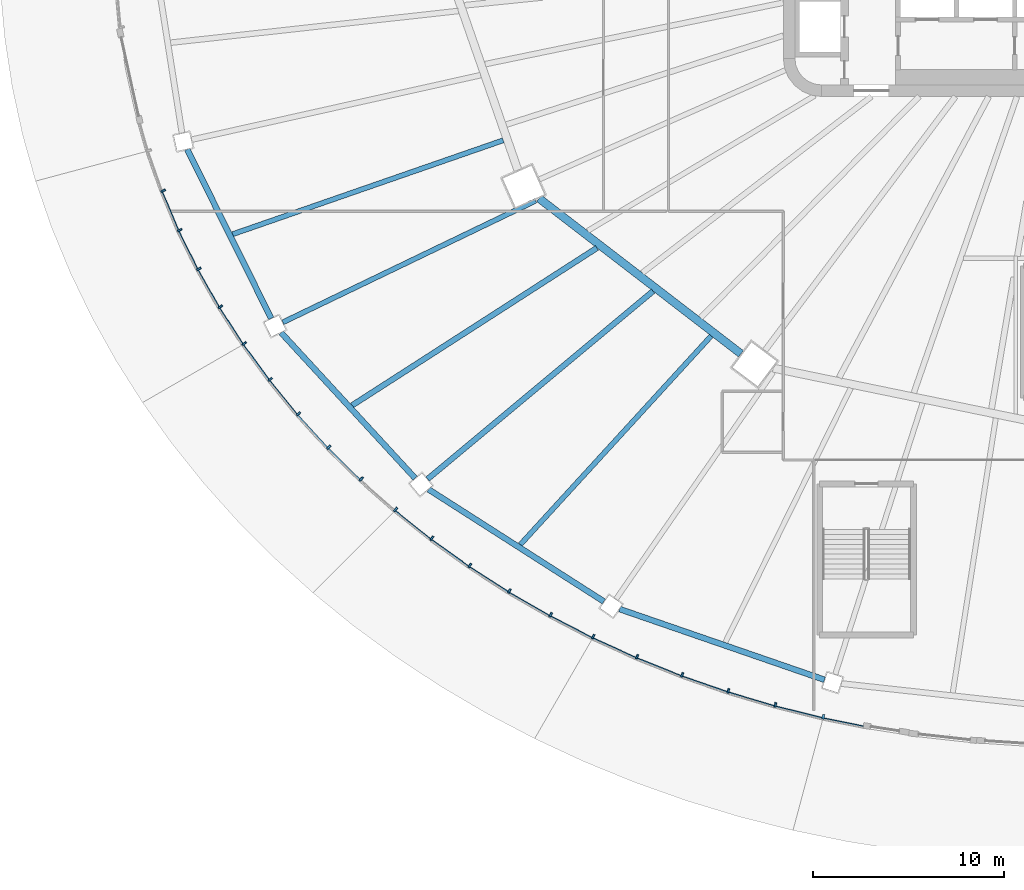
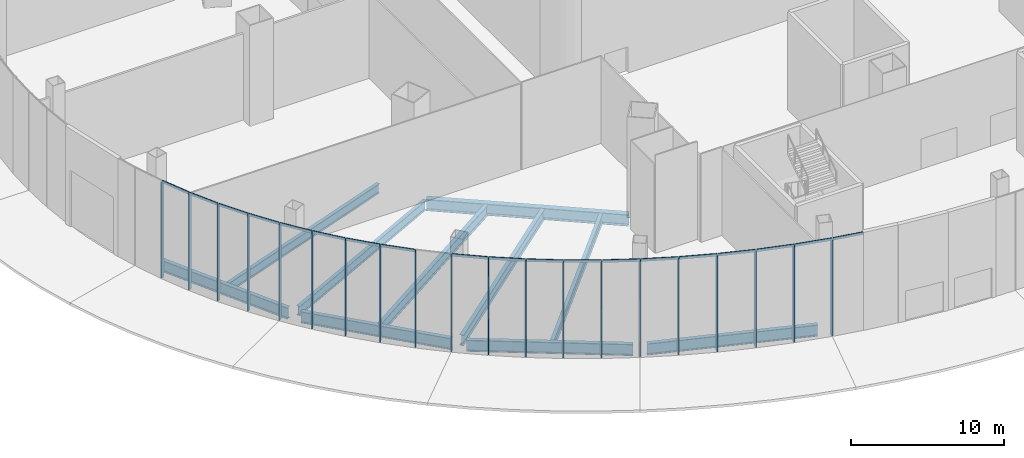
# One storey, part 2 of 36: 39 members, 10 beams, 5 elements without a shape of their own.
"""IFC4 building model written with IfcOpenShell, lengths in metres."""

from ifc_helpers import new_model, si_unit, direction, frame, origin, origin_2d, place, context, subcontext, project, spatial, rectangle, i_section, extrude, material, layer, layer_set, material_profile, profile_set, type_object, element, aggregate, save


model = new_model("IFC4")

# Units and contexts
model_context = context("Model", 3, precision=1e-05, world=origin(), true_north=direction((0.0, 1.0)))
body_context = subcontext(model_context, "Body", "Model", "MODEL_VIEW")
ifc_project = project(units=[si_unit("LENGTHUNIT", "METRE"), si_unit("AREAUNIT", "SQUARE_METRE"), si_unit("VOLUMEUNIT", "CUBIC_METRE"), si_unit("PLANEANGLEUNIT", "RADIAN"), si_unit("MASSUNIT", "GRAM", prefix="KILO")], contexts=[model_context])

# Site, building, storey
site_placement = place(None, origin())
site = spatial("IfcSite", under=ifc_project, at=site_placement, CompositionType="ELEMENT")
building_placement = place(site_placement, origin())
building = spatial("IfcBuilding", under=site, at=building_placement, Name="Sahrelin Media Tower", CompositionType="ELEMENT")
storey_placement = place(building_placement, origin())
storey = spatial("IfcBuildingStorey", under=building, at=storey_placement, Name="L00", CompositionType="ELEMENT", Elevation=0.0)

# Curtain wall, members
ifc_material_1 = material(Name="Champagne anodised aluminium 6063-T6", Category="aluminium")
ifc_layer_1 = layer(ifc_material_1, 0.14990234375)
ifc_layer_set_1 = layer_set([ifc_layer_1], Name="Concourse curtain wall")
curtain_wall_type_1 = type_object("IfcCurtainWallType", Name="Concourse curtain wall", PredefinedType="NOTDEFINED", material=ifc_layer_set_1)
curtain_wall_1_placement = place(storey_placement, frame((-48.29638671875, -10.870361328125, 0.0), z_axis=(0.0, 0.0, 1.0), x_axis=(1.0, 0.0, 0.0)))
curtain_wall_1 = element("IfcCurtainWall", 1, at=curtain_wall_1_placement, inside=storey, type_object=curtain_wall_type_1, Name="L00:CW:L00-P13", PredefinedType="NOTDEFINED")
ifc_material_profile_1 = material_profile(ifc_material_1, rectangle(XDim=0.10009765625, YDim=0.25, at=origin_2d()), Name="Mullion 100x250")
ifc_profile_set_1 = profile_set([ifc_material_profile_1], Name="Champagne anodised aluminium 6063-T6")
member_type_1 = type_object("IfcMemberType", Name="Mullion 100x250 CW4", PredefinedType="MULLION", material=ifc_profile_set_1)
member_1_placement = place(storey_placement, frame((-47.419189453125, -12.92236328125, 0.0), z_axis=(0.0, 0.0, 1.0), x_axis=(0.388450189752, -0.921469722824, 0.0)))
member_1 = element("IfcMember", 2, at=member_1_placement, type_object=member_type_1, Name="L00:CWM2:L00-P13", PredefinedType="MULLION", context=body_context, shape_type="SweptSolid", body=[
    extrude(rectangle(XDim=0.10009765625, YDim=0.25, at=origin_2d()), origin(), (0.0, 0.0, 1.0), 7.60009765625),
])
member_2_placement = place(storey_placement, frame((-46.549072265625, -14.9873046875, 0.0), z_axis=(0.0, 0.0, 1.0), x_axis=(0.442262079274, -0.896885864108, 0.0)))
member_2 = element("IfcMember", 3, at=member_2_placement, type_object=member_type_1, Name="L00:CWM3:L00-P13", PredefinedType="MULLION", context=body_context, shape_type="SweptSolid", body=[
    extrude(rectangle(XDim=0.10009765625, YDim=0.25, at=origin_2d()), origin(), (0.0, 0.0, 1.0), 7.60009765625),
])
member_3_placement = place(storey_placement, frame((-45.55126953125, -17.01123046875, 0.0), z_axis=(0.0, 0.0, 1.0), x_axis=(0.493787068155, -0.869582849028, 0.0)))
member_3 = element("IfcMember", 4, at=member_3_placement, type_object=member_type_1, Name="L00:CWM4:L00-P13", PredefinedType="MULLION", context=body_context, shape_type="SweptSolid", body=[
    extrude(rectangle(XDim=0.10009765625, YDim=0.25, at=origin_2d()), origin(), (0.0, 0.0, 1.0), 7.60009765625),
])
member_4_placement = place(storey_placement, frame((-44.428466796875, -18.989013671875, 0.0), z_axis=(0.0, 0.0, 1.0), x_axis=(0.542830032192, -0.839842578196, 0.0)))
member_4 = element("IfcMember", 5, at=member_4_placement, type_object=member_type_1, Name="L00:CWM5:L00-P13", PredefinedType="MULLION", context=body_context, shape_type="SweptSolid", body=[
    extrude(rectangle(XDim=0.10009765625, YDim=0.25, at=origin_2d()), origin(), (0.0, 0.0, 1.0), 7.60009765625),
])

curtain_wall_2_placement = place(storey_placement, frame((-43.30126953125, -21.0, 0.0), z_axis=(0.0, 0.0, 1.0), x_axis=(1.0, 0.0, 0.0)))
curtain_wall_2 = element("IfcCurtainWall", 6, at=curtain_wall_2_placement, inside=storey, type_object=curtain_wall_type_1, Name="L00:CW:L00-P14", PredefinedType="NOTDEFINED")
member_5_placement = place(storey_placement, frame((-43.18408203125, -20.91455078125, 0.0), z_axis=(0.0, 0.0, 1.0), x_axis=(0.589385309161, -0.807852064022, 0.0)))
member_5 = element("IfcMember", 7, at=member_5_placement, type_object=member_type_1, Name="L00:CWM1:L00-P14", PredefinedType="MULLION", context=body_context, shape_type="SweptSolid", body=[
    extrude(rectangle(XDim=0.10009765625, YDim=0.25, at=origin_2d()), origin(), (0.0, 0.0, 1.0), 7.60009765625),
])
member_6_placement = place(storey_placement, frame((-41.8212890625, -22.782958984375, 0.0), z_axis=(0.0, 0.0, 1.0), x_axis=(0.633234995933, -0.77395958546, 0.0)))
member_6 = element("IfcMember", 8, at=member_6_placement, type_object=member_type_1, Name="L00:CWM2:L00-P14", PredefinedType="MULLION", context=body_context, shape_type="SweptSolid", body=[
    extrude(rectangle(XDim=0.10009765625, YDim=0.25, at=origin_2d()), origin(), (0.0, 0.0, 1.0), 7.60009765625),
])
member_7_placement = place(storey_placement, frame((-40.34375, -24.589111328125, 0.0), z_axis=(0.0, 0.0, 1.0), x_axis=(0.67442997344, -0.738338818514, 0.0)))
member_7 = element("IfcMember", 9, at=member_7_placement, type_object=member_type_1, Name="L00:CWM3:L00-P14", PredefinedType="MULLION", context=body_context, shape_type="SweptSolid", body=[
    extrude(rectangle(XDim=0.10009765625, YDim=0.25, at=origin_2d()), origin(), (0.0, 0.0, 1.0), 7.60009765625),
])
member_8_placement = place(storey_placement, frame((-38.755615234375, -26.328125, 0.0), z_axis=(0.0, 0.0, 1.0), x_axis=(0.712973923933, -0.70119054742, 0.0)))
member_8 = element("IfcMember", 10, at=member_8_placement, type_object=member_type_1, Name="L00:CWM4:L00-P14", PredefinedType="MULLION", context=body_context, shape_type="SweptSolid", body=[
    extrude(rectangle(XDim=0.10009765625, YDim=0.25, at=origin_2d()), origin(), (0.0, 0.0, 1.0), 7.60009765625),
])
member_9_placement = place(storey_placement, frame((-37.06103515625, -27.994873046875, 0.0), z_axis=(0.0, 0.0, 1.0), x_axis=(0.748788005735, -0.662809567272, 0.0)))
member_9 = element("IfcMember", 11, at=member_9_placement, type_object=member_type_1, Name="L00:CWM5:L00-P14", PredefinedType="MULLION", context=body_context, shape_type="SweptSolid", body=[
    extrude(rectangle(XDim=0.10009765625, YDim=0.25, at=origin_2d()), origin(), (0.0, 0.0, 1.0), 7.60009765625),
])

curtain_wall_3_placement = place(storey_placement, frame((-35.355224609375, -29.698486328125, 0.0), z_axis=(0.0, 0.0, 1.0), x_axis=(1.0, 0.0, 0.0)))
curtain_wall_3 = element("IfcCurtainWall", 12, at=curtain_wall_3_placement, inside=storey, type_object=curtain_wall_type_1, Name="L00:CW:L00-P15", PredefinedType="NOTDEFINED")
member_10_placement = place(storey_placement, frame((-35.264892578125, -29.585205078125, 0.0), z_axis=(0.0, 0.0, 1.0), x_axis=(0.781960183728, -0.623328381405, 0.0)))
member_10 = element("IfcMember", 13, at=member_10_placement, type_object=member_type_1, Name="L00:CWM1:L00-P15", PredefinedType="MULLION", context=body_context, shape_type="SweptSolid", body=[
    extrude(rectangle(XDim=0.10009765625, YDim=0.25, at=origin_2d()), origin(), (0.0, 0.0, 1.0), 7.60009765625),
])
member_11_placement = place(storey_placement, frame((-33.3720703125, -31.09423828125, 0.0), z_axis=(0.0, 0.0, 1.0), x_axis=(0.812532432251, -0.582915985834, 0.0)))
member_11 = element("IfcMember", 14, at=member_11_placement, type_object=member_type_1, Name="L00:CWM2:L00-P15", PredefinedType="MULLION", context=body_context, shape_type="SweptSolid", body=[
    extrude(rectangle(XDim=0.10009765625, YDim=0.25, at=origin_2d()), origin(), (0.0, 0.0, 1.0), 7.60009765625),
])
member_12_placement = place(storey_placement, frame((-31.387451171875, -32.518310546875, 0.0), z_axis=(0.0, 0.0, 1.0), x_axis=(0.840519327336, -0.541781561494, 0.0)))
member_12 = element("IfcMember", 15, at=member_12_placement, type_object=member_type_1, Name="L00:CWM3:L00-P15", PredefinedType="MULLION", context=body_context, shape_type="SweptSolid", body=[
    extrude(rectangle(XDim=0.10009765625, YDim=0.25, at=origin_2d()), origin(), (0.0, 0.0, 1.0), 7.60009765625),
])
member_13_placement = place(storey_placement, frame((-29.31689453125, -33.85302734375, 0.0), z_axis=(0.0, 0.0, 1.0), x_axis=(0.866028894422, -0.49999395399, 0.0)))
member_13 = element("IfcMember", 16, at=member_13_placement, type_object=member_type_1, Name="L00:CWM4:L00-P15", PredefinedType="MULLION", context=body_context, shape_type="SweptSolid", body=[
    extrude(rectangle(XDim=0.10009765625, YDim=0.25, at=origin_2d()), origin(), (0.0, 0.0, 1.0), 7.60009765625),
])
member_14_placement = place(storey_placement, frame((-27.16552734375, -35.09521484375, 0.0), z_axis=(0.0, 0.0, 1.0), x_axis=(0.889123403251, -0.457667536309, 0.0)))
member_14 = element("IfcMember", 17, at=member_14_placement, type_object=member_type_1, Name="L00:CWM5:L00-P15", PredefinedType="MULLION", context=body_context, shape_type="SweptSolid", body=[
    extrude(rectangle(XDim=0.10009765625, YDim=0.25, at=origin_2d()), origin(), (0.0, 0.0, 1.0), 7.60009765625),
])

curtain_wall_4_placement = place(storey_placement, frame((-25.0, -36.373046875, 0.0), z_axis=(0.0, 0.0, 1.0), x_axis=(1.0, 0.0, 0.0)))
curtain_wall_4 = element("IfcCurtainWall", 18, at=curtain_wall_4_placement, inside=storey, type_object=curtain_wall_type_1, Name="L00:CW:L00-P16", PredefinedType="NOTDEFINED")
member_15_placement = place(storey_placement, frame((-24.939697265625, -36.2412109375, 0.0), z_axis=(0.0, 0.0, 1.0), x_axis=(0.909841810065, -0.414955275491, 0.0)))
member_15 = element("IfcMember", 19, at=member_15_placement, type_object=member_type_1, Name="L00:CWM1:L00-P16", PredefinedType="MULLION", context=body_context, shape_type="SweptSolid", body=[
    extrude(rectangle(XDim=0.10009765625, YDim=0.25, at=origin_2d()), origin(), (0.0, 0.0, 1.0), 7.60009765625),
])
member_16_placement = place(storey_placement, frame((-22.6455078125, -37.28759765625, 0.0), z_axis=(0.0, 0.0, 1.0), x_axis=(0.928270482181, -0.371905783648, 0.0)))
member_16 = element("IfcMember", 20, at=member_16_placement, type_object=member_type_1, Name="L00:CWM2:L00-P16", PredefinedType="MULLION", context=body_context, shape_type="SweptSolid", body=[
    extrude(rectangle(XDim=0.10009765625, YDim=0.25, at=origin_2d()), origin(), (0.0, 0.0, 1.0), 7.60009765625),
])
member_17_placement = place(storey_placement, frame((-20.2890625, -38.23193359375, 0.0), z_axis=(0.0, 0.0, 1.0), x_axis=(0.944458420046, -0.328630937077, 0.0)))
member_17 = element("IfcMember", 21, at=member_17_placement, type_object=member_type_1, Name="L00:CWM3:L00-P16", PredefinedType="MULLION", context=body_context, shape_type="SweptSolid", body=[
    extrude(rectangle(XDim=0.10009765625, YDim=0.25, at=origin_2d()), origin(), (0.0, 0.0, 1.0), 7.60009765625),
])
member_18_placement = place(storey_placement, frame((-17.877197265625, -39.0712890625, 0.0), z_axis=(0.0, 0.0, 1.0), x_axis=(0.958494922328, -0.285109599754, 0.0)))
member_18 = element("IfcMember", 22, at=member_18_placement, type_object=member_type_1, Name="L00:CWM4:L00-P16", PredefinedType="MULLION", context=body_context, shape_type="SweptSolid", body=[
    extrude(rectangle(XDim=0.10009765625, YDim=0.25, at=origin_2d()), origin(), (0.0, 0.0, 1.0), 7.60009765625),
])
member_19_placement = place(storey_placement, frame((-15.415771484375, -39.8037109375, 0.0), z_axis=(0.0, 0.0, 1.0), x_axis=(0.970410464409, -0.241461240296, 0.0)))
member_19 = element("IfcMember", 23, at=member_19_placement, type_object=member_type_1, Name="L00:CWM5:L00-P16", PredefinedType="MULLION", context=body_context, shape_type="SweptSolid", body=[
    extrude(rectangle(XDim=0.10009765625, YDim=0.25, at=origin_2d()), origin(), (0.0, 0.0, 1.0), 7.60009765625),
])

# Curtain wall, member
ifc_layer_2 = layer(ifc_material_1, 0.14990234375)
ifc_layer_set_2 = layer_set([ifc_layer_2], Name="Entrance bay curtain wall")
curtain_wall_type_2 = type_object("IfcCurtainWallType", Name="Entrance bay curtain wall", PredefinedType="NOTDEFINED", material=ifc_layer_set_2)
curtain_wall_5_placement = place(storey_placement, frame((-12.94091796875, -40.56884765625, 0.0), z_axis=(0.0, 0.0, 1.0), x_axis=(1.0, 0.0, 0.0)))
curtain_wall_5 = element("IfcCurtainWall", 24, at=curtain_wall_5_placement, inside=storey, type_object=curtain_wall_type_2, Name="L00:CW:L00-P17", PredefinedType="NOTDEFINED")
ifc_material_profile_2 = material_profile(ifc_material_1, rectangle(XDim=0.1201171875, YDim=0.25, at=origin_2d()), Name="Mullion 120x250")
ifc_profile_set_2 = profile_set([ifc_material_profile_2], Name="Champagne anodised aluminium 6063-T6")
member_type_2 = type_object("IfcMemberType", Name="Mullion 120x250 CW6", PredefinedType="MULLION", material=ifc_profile_set_2)
member_20_placement = place(storey_placement, frame((-12.912353515625, -40.4267578125, 0.0), z_axis=(0.0, 0.0, 1.0), x_axis=(0.980267034681, -0.197677871087, 0.0)))
member_20 = element("IfcMember", 25, at=member_20_placement, type_object=member_type_2, Name="L00:CWM1:L00-P17", PredefinedType="MULLION", context=body_context, shape_type="SweptSolid", body=[
    extrude(rectangle(XDim=0.1201171875, YDim=0.25, at=origin_2d()), origin(), (0.0, 0.0, 1.0), 7.60009765625),
])

# Beams
ifc_material_2 = material(Name="Steel S355", Category="steel")
ifc_material_profile_3 = material_profile(ifc_material_2, i_section(OverallWidth=0.30322265625, OverallDepth=0.903076171875, WebThickness=0.01513671875, FlangeThickness=0.020263671875, FilletRadius=0.01904296875, at=origin_2d()), Name="UB 914x305x201")
ifc_profile_set_3 = profile_set([ifc_material_profile_3], Name="Steel S355")
beam_type_1 = type_object("IfcBeamType", Name="Podium edge girder PE11", PredefinedType="BEAM", material=ifc_profile_set_3)
beam_1_placement = place(storey_placement, frame((-46.158203125, -10.767822265625, -0.75146484375), z_axis=(0.445112588569, -0.895474613541, 0.0), x_axis=(0.895474613541, 0.445112588569, 0.0)))
element("IfcBeam", 26, at=beam_1_placement, inside=storey, type_object=beam_type_1, Name="Podium edge girder L00-14", PredefinedType="BEAM", context=body_context, shape_type="SweptSolid", body=[
    extrude(i_section(OverallWidth=0.30322265625, OverallDepth=0.903076171875, WebThickness=0.01513671875, FlangeThickness=0.020263671875, FilletRadius=0.01904296875, at=origin_2d()), origin(), (0.0, 0.0, 1.0), 9.859619140625),
])
beam_2_placement = place(storey_placement, frame((-41.25048828125, -20.34619140625, -0.75146484375), z_axis=(0.677370529771, -0.735642008995, 0.0), x_axis=(0.735642008995, 0.677370529771, 0.0)))
element("IfcBeam", 27, at=beam_2_placement, inside=storey, type_object=beam_type_1, Name="Podium edge girder L00-15", PredefinedType="BEAM", context=body_context, shape_type="SweptSolid", body=[
    extrude(i_section(OverallWidth=0.30322265625, OverallDepth=0.903076171875, WebThickness=0.01513671875, FlangeThickness=0.020263671875, FilletRadius=0.01904296875, at=origin_2d()), origin(), (0.0, 0.0, 1.0), 10.340087890625),
])
beam_3_placement = place(storey_placement, frame((-33.54345703125, -28.53857421875, -0.75146484375), z_axis=(0.842485743715, -0.538718638657, 0.0), x_axis=(0.538718638657, 0.842485743715, 0.0)))
element("IfcBeam", 28, at=beam_3_placement, inside=storey, type_object=beam_type_1, Name="Podium edge girder L00-16", PredefinedType="BEAM", context=body_context, shape_type="SweptSolid", body=[
    extrude(i_section(OverallWidth=0.30322265625, OverallDepth=0.903076171875, WebThickness=0.01513671875, FlangeThickness=0.020263671875, FilletRadius=0.01904296875, at=origin_2d()), origin(), (0.0, 0.0, 1.0), 10.87744140625),
])
beam_4_placement = place(storey_placement, frame((-23.55810546875, -34.79345703125, -0.75146484375), z_axis=(0.94527240249, -0.32628221694, 0.0), x_axis=(0.32628221694, 0.94527240249, 0.0)))
element("IfcBeam", 29, at=beam_4_placement, inside=storey, type_object=beam_type_1, Name="Podium edge girder L00-17", PredefinedType="BEAM", context=body_context, shape_type="SweptSolid", body=[
    extrude(i_section(OverallWidth=0.30322265625, OverallDepth=0.903076171875, WebThickness=0.01513671875, FlangeThickness=0.020263671875, FilletRadius=0.01904296875, at=origin_2d()), origin(), (0.0, 0.0, 1.0), 11.329345703125),
])
ifc_material_profile_4 = material_profile(ifc_material_2, i_section(OverallWidth=0.41845703125, OverallDepth=0.911865234375, WebThickness=0.019287109375, FlangeThickness=0.031982421875, FilletRadius=0.024169921875, at=origin_2d()), Name="UB 914x419x343")
ifc_profile_set_4 = profile_set([ifc_material_profile_4], Name="Steel S355")
beam_type_2 = type_object("IfcBeamType", Name="Podium ring girder PG12", PredefinedType="BEAM", material=ifc_profile_set_4)
beam_5_placement = place(storey_placement, frame((-27.767578125, -13.324462890625, -0.755859375), z_axis=(0.792445416108, -0.609942835428, 0.0), x_axis=(0.609942835428, 0.792445416108, 0.0)))
element("IfcBeam", 30, at=beam_5_placement, inside=storey, type_object=beam_type_2, Name="Podium girder L00-08", PredefinedType="BEAM", context=body_context, shape_type="SweptSolid", body=[
    extrude(i_section(OverallWidth=0.41845703125, OverallDepth=0.911865234375, WebThickness=0.019287109375, FlangeThickness=0.031982421875, FilletRadius=0.024169921875, at=origin_2d()), origin(), (0.0, 0.0, 1.0), 13.318603515625),
])
ifc_material_profile_5 = material_profile(ifc_material_2, i_section(OverallWidth=0.291748046875, OverallDepth=0.8349609375, WebThickness=0.013916015625, FlangeThickness=0.018798828125, FilletRadius=0.017822265625, at=origin_2d()), Name="UB 838x292x176")
ifc_profile_set_5 = profile_set([ifc_material_profile_5], Name="Steel S355")
beam_type_3 = type_object("IfcBeamType", Name="Radial primary beam PB10", PredefinedType="BEAM", material=ifc_profile_set_5)
beam_6_placement = place(storey_placement, frame((-21.809326171875, -18.174560546875, -0.71728515625), z_axis=(-0.768229105739, -0.640175008178, 0.0), x_axis=(0.640175008178, -0.768229105739, 0.0)))
element("IfcBeam", 31, at=beam_6_placement, inside=storey, type_object=beam_type_3, Name="Radial beam L00-16", PredefinedType="BEAM", context=body_context, shape_type="SweptSolid", body=[
    extrude(i_section(OverallWidth=0.291748046875, OverallDepth=0.8349609375, WebThickness=0.013916015625, FlangeThickness=0.018798828125, FilletRadius=0.017822265625, at=origin_2d()), origin(), (0.0, 0.0, 1.0), 15.342041015625),
])
ifc_material_profile_6 = material_profile(ifc_material_2, i_section(OverallWidth=0.26513671875, OverallDepth=0.75390625, WebThickness=0.0126953125, FlangeThickness=0.017578125, FilletRadius=0.0166015625, at=origin_2d()), Name="UB 762x267x147")
ifc_profile_set_6 = profile_set([ifc_material_profile_6], Name="Steel S355")
beam_type_4 = type_object("IfcBeamType", Name="Radial primary beam PB9", PredefinedType="BEAM", material=ifc_profile_set_6)
beam_7_placement = place(storey_placement, frame((-27.950439453125, -13.44775390625, -0.677001953125), z_axis=(-0.901130102072, -0.433548773657, 0.0), x_axis=(0.433548773657, -0.901130102072, 0.0)))
element("IfcBeam", 32, at=beam_7_placement, inside=storey, type_object=beam_type_4, Name="Radial beam L00-15", PredefinedType="BEAM", context=body_context, shape_type="SweptSolid", body=[
    extrude(i_section(OverallWidth=0.26513671875, OverallDepth=0.75390625, WebThickness=0.0126953125, FlangeThickness=0.017578125, FilletRadius=0.0166015625, at=origin_2d()), origin(), (0.0, 0.0, 1.0), 14.6630859375),
])
ifc_material_profile_7 = material_profile(ifc_material_2, i_section(OverallWidth=0.291748046875, OverallDepth=0.8349609375, WebThickness=0.013916015625, FlangeThickness=0.018798828125, FilletRadius=0.017822265625, at=origin_2d()), Name="UB 838x292x176")
ifc_profile_set_7 = profile_set([ifc_material_profile_7], Name="Steel S355")
beam_type_5 = type_object("IfcBeamType", Name="Radial secondary beam SB10", PredefinedType="BEAM", material=ifc_profile_set_7)
beam_8_placement = place(storey_placement, frame((-24.744140625, -15.91552734375, -0.71728515625), z_axis=(-0.84104292767, -0.540968385228, 0.0), x_axis=(0.540968385228, -0.84104292767, 0.0)))
element("IfcBeam", 33, at=beam_8_placement, inside=storey, type_object=beam_type_5, Name="Secondary beam L00-15", PredefinedType="BEAM", context=body_context, shape_type="SweptSolid", body=[
    extrude(i_section(OverallWidth=0.291748046875, OverallDepth=0.8349609375, WebThickness=0.013916015625, FlangeThickness=0.018798828125, FilletRadius=0.017822265625, at=origin_2d()), origin(), (0.0, 0.0, 1.0), 15.218505859375),
])
ifc_material_profile_8 = material_profile(ifc_material_2, i_section(OverallWidth=0.26513671875, OverallDepth=0.75390625, WebThickness=0.0126953125, FlangeThickness=0.017578125, FilletRadius=0.0166015625, at=origin_2d()), Name="UB 762x267x147")
ifc_profile_set_8 = profile_set([ifc_material_profile_8], Name="Steel S355")
beam_type_6 = type_object("IfcBeamType", Name="Radial secondary beam SB9", PredefinedType="BEAM", material=ifc_profile_set_8)
beam_9_placement = place(storey_placement, frame((-29.640380859375, -10.287109375, -0.677001953125), z_axis=(-0.944713020182, -0.32789832189, 0.0), x_axis=(0.32789832189, -0.944713020182, 0.0)))
element("IfcBeam", 34, at=beam_9_placement, inside=storey, type_object=beam_type_6, Name="Secondary beam L00-14", PredefinedType="BEAM", context=body_context, shape_type="SweptSolid", body=[
    extrude(i_section(OverallWidth=0.26513671875, OverallDepth=0.75390625, WebThickness=0.0126953125, FlangeThickness=0.017578125, FilletRadius=0.0166015625, at=origin_2d()), origin(), (0.0, 0.0, 1.0), 14.974609375),
])
beam_10_placement = place(storey_placement, frame((-18.7685546875, -20.514892578125, -0.677001953125), z_axis=(-0.675004282666, -0.737813810106, 0.0), x_axis=(0.737813810106, -0.675004282666, 0.0)))
element("IfcBeam", 35, at=beam_10_placement, inside=storey, type_object=beam_type_6, Name="Secondary beam L00-16", PredefinedType="BEAM", context=body_context, shape_type="SweptSolid", body=[
    extrude(i_section(OverallWidth=0.26513671875, OverallDepth=0.75390625, WebThickness=0.0126953125, FlangeThickness=0.017578125, FilletRadius=0.0166015625, at=origin_2d()), origin(), (0.0, 0.0, 1.0), 14.7861328125),
])

# Member
ifc_material_profile_9 = material_profile(ifc_material_1, rectangle(XDim=0.080078125, YDim=0.199951171875, at=origin_2d()), Name="Transom 80x200")
ifc_profile_set_9 = profile_set([ifc_material_profile_9], Name="Champagne anodised aluminium 6063-T6")
member_type_3 = type_object("IfcMemberType", Name="Transom 80x200 CW4", PredefinedType="USERDEFINED", material=ifc_profile_set_9)
member_21_placement = place(storey_placement, frame((-47.47412109375, -13.0107421875, 7.699951171875), z_axis=(0.388381004069, -0.921498885337, 0.0), x_axis=(0.921498885337, 0.388381004069, 0.0)))
member_21 = element("IfcMember", 36, at=member_21_placement, type_object=member_type_3, Name="L00:CWT2a:L00-P13", ObjectType="TRANSOM", PredefinedType="USERDEFINED", context=body_context, shape_type="SweptSolid", body=[
    extrude(rectangle(XDim=0.080078125, YDim=0.199951171875, at=origin_2d()), origin(), (0.0, 0.0, 1.0), 2.189453125),
])

member_22_placement = place(storey_placement, frame((-46.5986328125, -15.078857421875, 7.699951171875), z_axis=(0.442246119994, -0.896893733588, 0.0), x_axis=(0.896893733588, 0.442246119994, 0.0)))
member_22 = element("IfcMember", 37, at=member_22_placement, type_object=member_type_3, Name="L00:CWT3a:L00-P13", ObjectType="TRANSOM", PredefinedType="USERDEFINED", context=body_context, shape_type="SweptSolid", body=[
    extrude(rectangle(XDim=0.080078125, YDim=0.199951171875, at=origin_2d()), origin(), (0.0, 0.0, 1.0), 2.204833984375),
])

member_23_placement = place(storey_placement, frame((-45.595458984375, -17.10546875, 7.699951171875), z_axis=(0.493782910408, -0.869585209964, 0.0), x_axis=(0.869585209964, 0.493782910408, 0.0)))
member_23 = element("IfcMember", 38, at=member_23_placement, type_object=member_type_3, Name="L00:CWT4a:L00-P13", ObjectType="TRANSOM", PredefinedType="USERDEFINED", context=body_context, shape_type="SweptSolid", body=[
    extrude(rectangle(XDim=0.080078125, YDim=0.199951171875, at=origin_2d()), origin(), (0.0, 0.0, 1.0), 2.222412109375),
])

member_24_placement = place(storey_placement, frame((-44.46728515625, -19.08544921875, 7.699951171875), z_axis=(0.542826539947, -0.839844835389, 0.0), x_axis=(0.839844835389, 0.542826539947, 0.0)))
member_24 = element("IfcMember", 39, at=member_24_placement, type_object=member_type_3, Name="L00:CWT5a:L00-P13", ObjectType="TRANSOM", PredefinedType="USERDEFINED", context=body_context, shape_type="SweptSolid", body=[
    extrude(rectangle(XDim=0.080078125, YDim=0.199951171875, at=origin_2d()), origin(), (0.0, 0.0, 1.0), 2.24072265625),
])

aggregate(curtain_wall_1, [member_1, member_21, member_2, member_22, member_3, member_23, member_4, member_24])

member_25_placement = place(storey_placement, frame((-43.217529296875, -21.01318359375, 7.699951171875), z_axis=(0.58944240532, -0.807810405238, 0.0), x_axis=(0.807810405238, 0.58944240532, 0.0)))
member_25 = element("IfcMember", 40, at=member_25_placement, type_object=member_type_3, Name="L00:CWT1a:L00-P14", ObjectType="TRANSOM", PredefinedType="USERDEFINED", context=body_context, shape_type="SweptSolid", body=[
    extrude(rectangle(XDim=0.080078125, YDim=0.199951171875, at=origin_2d()), origin(), (0.0, 0.0, 1.0), 2.2607421875),
])

member_26_placement = place(storey_placement, frame((-41.84912109375, -22.88330078125, 7.699951171875), z_axis=(0.633296062236, -0.773909618467, 0.0), x_axis=(0.773909618467, 0.633296062236, 0.0)))
member_26 = element("IfcMember", 41, at=member_26_placement, type_object=member_type_3, Name="L00:CWT2a:L00-P14", ObjectType="TRANSOM", PredefinedType="USERDEFINED", context=body_context, shape_type="SweptSolid", body=[
    extrude(rectangle(XDim=0.080078125, YDim=0.199951171875, at=origin_2d()), origin(), (0.0, 0.0, 1.0), 2.281494140625),
])

member_27_placement = place(storey_placement, frame((-40.365966796875, -24.69091796875, 7.699951171875), z_axis=(0.6744176745, -0.738350052699, 0.0), x_axis=(0.738350052699, 0.6744176745, 0.0)))
member_27 = element("IfcMember", 42, at=member_27_placement, type_object=member_type_3, Name="L00:CWT3a:L00-P14", ObjectType="TRANSOM", PredefinedType="USERDEFINED", context=body_context, shape_type="SweptSolid", body=[
    extrude(rectangle(XDim=0.080078125, YDim=0.199951171875, at=origin_2d()), origin(), (0.0, 0.0, 1.0), 2.302734375),
])

member_28_placement = place(storey_placement, frame((-38.7724609375, -26.430908203125, 7.699951171875), z_axis=(0.713015803991, -0.701147961032, 0.0), x_axis=(0.701147961032, 0.713015803991, 0.0)))
member_28 = element("IfcMember", 43, at=member_28_placement, type_object=member_type_3, Name="L00:CWT4a:L00-P14", ObjectType="TRANSOM", PredefinedType="USERDEFINED", context=body_context, shape_type="SweptSolid", body=[
    extrude(rectangle(XDim=0.080078125, YDim=0.199951171875, at=origin_2d()), origin(), (0.0, 0.0, 1.0), 2.32470703125),
])

aggregate(curtain_wall_2, [member_5, member_25, member_6, member_26, member_7, member_27, member_8, member_28, member_9])

member_29_placement = place(storey_placement, frame((-35.27099609375, -29.68896484375, 7.699951171875), z_axis=(0.781923718797, -0.623374123607, 0.0), x_axis=(0.623374123607, 0.781923718797, 0.0)))
member_29 = element("IfcMember", 44, at=member_29_placement, type_object=member_type_3, Name="L00:CWT1a:L00-P15", ObjectType="TRANSOM", PredefinedType="USERDEFINED", context=body_context, shape_type="SweptSolid", body=[
    extrude(rectangle(XDim=0.080078125, YDim=0.199951171875, at=origin_2d()), origin(), (0.0, 0.0, 1.0), 2.3681640625),
])

member_30_placement = place(storey_placement, frame((-33.372802734375, -31.1982421875, 7.699951171875), z_axis=(0.81254456159, -0.582899078254, 0.0), x_axis=(0.582899078254, 0.81254456159, 0.0)))
member_30 = element("IfcMember", 45, at=member_30_placement, type_object=member_type_3, Name="L00:CWT2a:L00-P15", ObjectType="TRANSOM", PredefinedType="USERDEFINED", context=body_context, shape_type="SweptSolid", body=[
    extrude(rectangle(XDim=0.080078125, YDim=0.199951171875, at=origin_2d()), origin(), (0.0, 0.0, 1.0), 2.389892578125),
])

member_31_placement = place(storey_placement, frame((-31.383056640625, -32.622314453125, 7.699951171875), z_axis=(0.840565911335, -0.541709284305, 0.0), x_axis=(0.541709284305, 0.840565911335, 0.0)))
member_31 = element("IfcMember", 46, at=member_31_placement, type_object=member_type_3, Name="L00:CWT3a:L00-P15", ObjectType="TRANSOM", PredefinedType="USERDEFINED", context=body_context, shape_type="SweptSolid", body=[
    extrude(rectangle(XDim=0.080078125, YDim=0.199951171875, at=origin_2d()), origin(), (0.0, 0.0, 1.0), 2.41064453125),
])

member_32_placement = place(storey_placement, frame((-29.307373046875, -33.956787109375, 7.699951171875), z_axis=(0.866071874077, -0.499919502453, 0.0), x_axis=(0.499919502453, 0.866071874077, 0.0)))
member_32 = element("IfcMember", 47, at=member_32_placement, type_object=member_type_3, Name="L00:CWT4a:L00-P15", ObjectType="TRANSOM", PredefinedType="USERDEFINED", context=body_context, shape_type="SweptSolid", body=[
    extrude(rectangle(XDim=0.080078125, YDim=0.199951171875, at=origin_2d()), origin(), (0.0, 0.0, 1.0), 2.43115234375),
])

member_33_placement = place(storey_placement, frame((-27.151123046875, -35.1982421875, 7.699951171875), z_axis=(0.889104806815, -0.457703662316, 0.0), x_axis=(0.457703662316, 0.889104806815, 0.0)))
member_33 = element("IfcMember", 48, at=member_33_placement, type_object=member_type_3, Name="L00:CWT5a:L00-P15", ObjectType="TRANSOM", PredefinedType="USERDEFINED", context=body_context, shape_type="SweptSolid", body=[
    extrude(rectangle(XDim=0.080078125, YDim=0.199951171875, at=origin_2d()), origin(), (0.0, 0.0, 1.0), 2.450439453125),
])

aggregate(curtain_wall_3, [member_10, member_29, member_11, member_30, member_12, member_31, member_13, member_32, member_14, member_33])

member_34_placement = place(storey_placement, frame((-24.92041015625, -36.343505859375, 7.699951171875), z_axis=(0.909857700492, -0.414920431956, 0.0), x_axis=(0.414920431956, 0.909857700492, 0.0)))
member_34 = element("IfcMember", 49, at=member_34_placement, type_object=member_type_3, Name="L00:CWT1a:L00-P16", ObjectType="TRANSOM", PredefinedType="USERDEFINED", context=body_context, shape_type="SweptSolid", body=[
    extrude(rectangle(XDim=0.080078125, YDim=0.199951171875, at=origin_2d()), origin(), (0.0, 0.0, 1.0), 2.46826171875),
])

member_35_placement = place(storey_placement, frame((-22.62158203125, -37.388916015625, 7.699951171875), z_axis=(0.928273317424, -0.371898706854, 0.0), x_axis=(0.371898706854, 0.928273317424, 0.0)))
member_35 = element("IfcMember", 50, at=member_35_placement, type_object=member_type_3, Name="L00:CWT2a:L00-P16", ObjectType="TRANSOM", PredefinedType="USERDEFINED", context=body_context, shape_type="SweptSolid", body=[
    extrude(rectangle(XDim=0.080078125, YDim=0.199951171875, at=origin_2d()), origin(), (0.0, 0.0, 1.0), 2.4853515625),
])

member_36_placement = place(storey_placement, frame((-20.260498046875, -38.33203125, 7.699951171875), z_axis=(0.944462547353, -0.328619075294, 0.0), x_axis=(0.328619075294, 0.944462547353, 0.0)))
member_36 = element("IfcMember", 51, at=member_36_placement, type_object=member_type_3, Name="L00:CWT3a:L00-P16", ObjectType="TRANSOM", PredefinedType="USERDEFINED", context=body_context, shape_type="SweptSolid", body=[
    extrude(rectangle(XDim=0.080078125, YDim=0.199951171875, at=origin_2d()), origin(), (0.0, 0.0, 1.0), 2.500732421875),
])

member_37_placement = place(storey_placement, frame((-17.84375, -39.169921875, 7.699951171875), z_axis=(0.958481146373, -0.285155908316, 0.0), x_axis=(0.285155908316, 0.958481146373, 0.0)))
member_37 = element("IfcMember", 52, at=member_37_placement, type_object=member_type_3, Name="L00:CWT4a:L00-P16", ObjectType="TRANSOM", PredefinedType="USERDEFINED", context=body_context, shape_type="SweptSolid", body=[
    extrude(rectangle(XDim=0.080078125, YDim=0.199951171875, at=origin_2d()), origin(), (0.0, 0.0, 1.0), 2.5146484375),
])

member_38_placement = place(storey_placement, frame((-15.378173828125, -39.900634765625, 7.699951171875), z_axis=(0.970403417856, -0.241489557979, 0.0), x_axis=(0.241489557979, 0.970403417856, 0.0)))
member_38 = element("IfcMember", 53, at=member_38_placement, type_object=member_type_3, Name="L00:CWT5a:L00-P16", ObjectType="TRANSOM", PredefinedType="USERDEFINED", context=body_context, shape_type="SweptSolid", body=[
    extrude(rectangle(XDim=0.080078125, YDim=0.199951171875, at=origin_2d()), origin(), (0.0, 0.0, 1.0), 2.5263671875),
])

aggregate(curtain_wall_4, [member_15, member_34, member_16, member_35, member_17, member_36, member_18, member_37, member_19, member_38])

ifc_material_profile_10 = material_profile(ifc_material_1, rectangle(XDim=0.080078125, YDim=0.199951171875, at=origin_2d()), Name="Transom 80x200")
ifc_profile_set_10 = profile_set([ifc_material_profile_10], Name="Champagne anodised aluminium 6063-T6")
member_type_4 = type_object("IfcMemberType", Name="Transom 80x200 CW6", PredefinedType="USERDEFINED", material=ifc_profile_set_10)
member_39_placement = place(storey_placement, frame((-12.860595703125, -40.52392578125, 7.699951171875), z_axis=(0.980272877206, -0.197648896313, 0.0), x_axis=(0.197648896313, 0.980272877206, 0.0)))
member_39 = element("IfcMember", 54, at=member_39_placement, type_object=member_type_4, Name="L00:CWT1a:L00-P17", ObjectType="TRANSOM", PredefinedType="USERDEFINED", context=body_context, shape_type="SweptSolid", body=[
    extrude(rectangle(XDim=0.080078125, YDim=0.199951171875, at=origin_2d()), origin(), (0.0, 0.0, 1.0), 2.08251953125),
])

aggregate(curtain_wall_5, [member_20, member_39])

save(model, "model.ifc")
